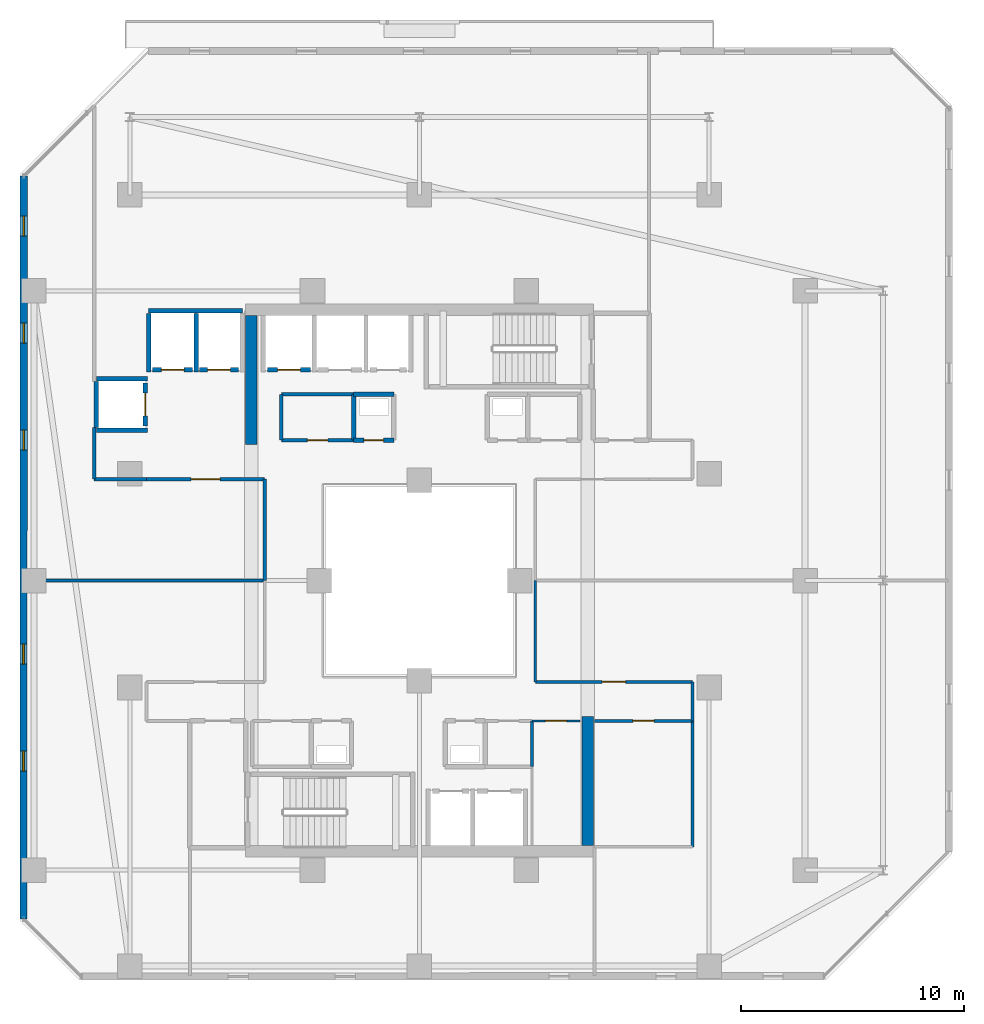
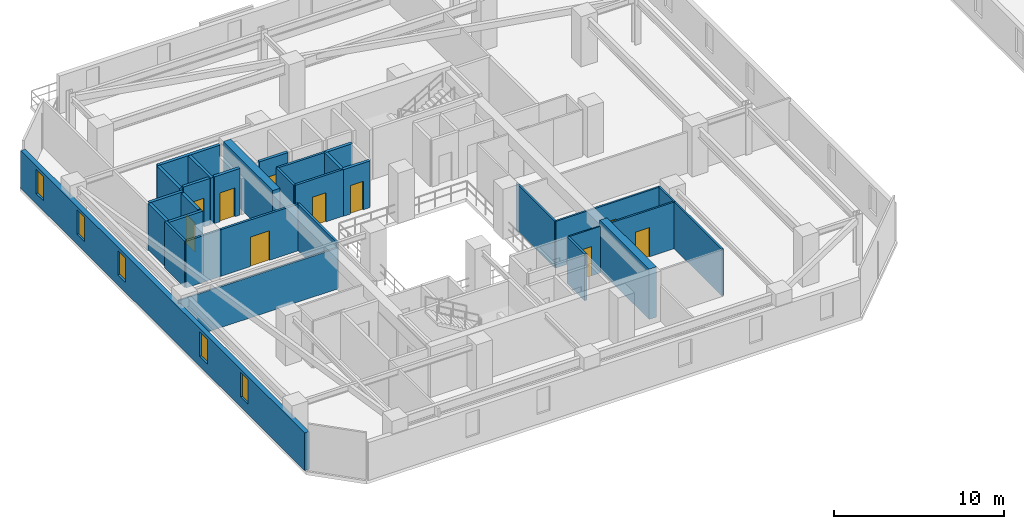
# One storey, part 20 of 32: 31 walls, 10 doors, 5 windows, 15 openings.
"""IFC4 building model written with IfcOpenShell, lengths in metres."""

from ifc_helpers import new_model, si_unit, direction, frame, frame_2d, origin, place, context, subcontext, project, spatial, rectangle, extrude, material, layer, layer_set, type_object, element, fill, save


model = new_model("IFC4")

# Units and contexts
model_context = context("Model", 3, precision=1e-05, world=origin(), true_north=direction((0.0, 1.0)))
body_context = subcontext(model_context, "Body", "Model", "MODEL_VIEW")
ifc_project = project(units=[si_unit("LENGTHUNIT", "METRE"), si_unit("AREAUNIT", "SQUARE_METRE"), si_unit("VOLUMEUNIT", "CUBIC_METRE"), si_unit("PLANEANGLEUNIT", "RADIAN"), si_unit("MASSUNIT", "GRAM", prefix="KILO")], contexts=[model_context])

# Site, building, storey
site_placement = place(None, origin())
site = spatial("IfcSite", under=ifc_project, at=site_placement, CompositionType="ELEMENT")
building_placement = place(site_placement, origin())
building = spatial("IfcBuilding", under=site, at=building_placement, Name="Thornwick Lancets Civic Towers", CompositionType="ELEMENT")
storey_placement = place(building_placement, frame((0.0, 0.0, 182.10009765625)))
storey = spatial("IfcBuildingStorey", under=building, at=storey_placement, Name="L48", CompositionType="ELEMENT", Elevation=182.10009765625)

# Wall, opening, door
ifc_material_1 = material(Name="Concrete blockwork C40/50", Category="masonry")
ifc_layer_1 = layer(ifc_material_1, 0.199951171875, Name="Concrete blockwork C40/50")
ifc_layer_set_1 = layer_set([ifc_layer_1], Name="Concrete blockwork C40/50")
wall_type_1 = type_object("IfcWallType", Name="WALL_COMP_200", PredefinedType="STANDARD", material=ifc_layer_set_1)
wall_1_placement = place(storey_placement, frame((20.6201171875, 36.449951171875, 0.0), z_axis=(0.0, 0.0, 1.0), x_axis=(-1.0, 0.0, 0.0)))
wall_1 = element("IfcWall", 1, at=wall_1_placement, inside=storey, type_object=wall_type_1, Name="L48 Hoistway Front Wall PL-AH3", PredefinedType="STANDARD", context=body_context, shape_type="SweptSolid", body=[
    extrude(rectangle(XDim=1.940185546875, YDim=0.199951171875, at=frame_2d((0.97021484375, 0.0))), origin(), (0.0, 0.0, 1.0), 3.33984375),
])
opening_1_placement = place(wall_1_placement, frame((0.4599609375, 0.0, 0.0)))
opening_1 = element("IfcOpeningElement", 2, at=opening_1_placement, cuts=wall_1, Name="Opening LD-PL-AH3", PredefinedType="OPENING", context=body_context, shape_type="SweptSolid", body=[
    extrude(rectangle(XDim=1.02001953125, YDim=2.06005859375, at=frame_2d((0.510009765625, 1.030029296875))), frame((0.0, 0.10986328125, 0.0), z_axis=(0.0, -1.0, 0.0), x_axis=(1.0, 0.0, 0.0)), (0.0, 0.0, 1.0), 0.219970703125),
])
ifc_material_2 = material(Name="Brushed bronze stainless steel", Category="steel")
door_type_1 = type_object("IfcDoorType", Name="DOOR_LIFT_SLIDE", OperationType="SLIDING_TO_LEFT", PredefinedType="DOOR", material=ifc_material_2)
door_1_placement = place(opening_1_placement, origin())
door_1 = element("IfcDoor", 3, at=door_1_placement, inside=storey, type_object=door_type_1, Name="L48 Sliding Lift Landing Door LD-PL-AH3", OperationType="SLIDING_TO_LEFT", OverallHeight=2.06005859375, OverallWidth=1.02001953125, PredefinedType="DOOR", context=body_context, shape_type="SweptSolid", body=[
    extrude(rectangle(XDim=1.02001953125, YDim=2.06005859375, at=frame_2d((0.510009765625, 1.030029296875))), frame((0.0, 0.02490234375, 0.0), z_axis=(0.0, -1.0, 0.0), x_axis=(1.0, 0.0, 0.0)), (0.0, 0.0, 1.0), 0.050048828125),
])
fill(opening_1, door_1)

wall_2_placement = place(storey_placement, frame((17.3701171875, 36.449951171875, 0.0), z_axis=(0.0, 0.0, 1.0), x_axis=(-1.0, 0.0, 0.0)))
wall_2 = element("IfcWall", 4, at=wall_2_placement, inside=storey, type_object=wall_type_1, Name="L48 Hoistway Front Wall PL-AM1", PredefinedType="STANDARD", context=body_context, shape_type="SweptSolid", body=[
    extrude(rectangle(XDim=1.740234375, YDim=0.199951171875, at=frame_2d((0.8701171875, 0.0))), origin(), (0.0, 0.0, 1.0), 3.33984375),
])
opening_2_placement = place(wall_2_placement, frame((0.360107421875, 0.0, 0.0)))
opening_2 = element("IfcOpeningElement", 5, at=opening_2_placement, cuts=wall_2, Name="Opening LD-PL-AM1", PredefinedType="OPENING", context=body_context, shape_type="SweptSolid", body=[
    extrude(rectangle(XDim=1.02001953125, YDim=2.06005859375, at=frame_2d((0.510009765625, 1.030029296875))), frame((0.0, 0.10986328125, 0.0), z_axis=(0.0, -1.0, 0.0), x_axis=(1.0, 0.0, 0.0)), (0.0, 0.0, 1.0), 0.219970703125),
])
door_2_placement = place(opening_2_placement, origin())
door_2 = element("IfcDoor", 6, at=door_2_placement, inside=storey, type_object=door_type_1, Name="L48 Sliding Lift Landing Door LD-PL-AM1", OperationType="SLIDING_TO_LEFT", OverallHeight=2.06005859375, OverallWidth=1.02001953125, PredefinedType="DOOR", context=body_context, shape_type="SweptSolid", body=[
    extrude(rectangle(XDim=1.02001953125, YDim=2.06005859375, at=frame_2d((0.510009765625, 1.030029296875))), frame((0.0, 0.02490234375, 0.0), z_axis=(0.0, -1.0, 0.0), x_axis=(1.0, 0.0, 0.0)), (0.0, 0.0, 1.0), 0.050048828125),
])
fill(opening_2, door_2)

wall_3_placement = place(storey_placement, frame((15.320068359375, 36.449951171875, 0.0), z_axis=(0.0, 0.0, 1.0), x_axis=(-1.0, 0.0, 0.0)))
wall_3 = element("IfcWall", 7, at=wall_3_placement, inside=storey, type_object=wall_type_1, Name="L48 Hoistway Front Wall PL-AM2", PredefinedType="STANDARD", context=body_context, shape_type="SweptSolid", body=[
    extrude(rectangle(XDim=1.7900390625, YDim=0.199951171875, at=frame_2d((0.89501953125, 0.0))), origin(), (0.0, 0.0, 1.0), 3.33984375),
])
opening_3_placement = place(wall_3_placement, frame((0.385009765625, 0.0, 0.0)))
opening_3 = element("IfcOpeningElement", 8, at=opening_3_placement, cuts=wall_3, Name="Opening LD-PL-AM2", PredefinedType="OPENING", context=body_context, shape_type="SweptSolid", body=[
    extrude(rectangle(XDim=1.02001953125, YDim=2.06005859375, at=frame_2d((0.510009765625, 1.030029296875))), frame((0.0, 0.10986328125, 0.0), z_axis=(0.0, -1.0, 0.0), x_axis=(1.0, 0.0, 0.0)), (0.0, 0.0, 1.0), 0.219970703125),
])
door_3_placement = place(opening_3_placement, origin())
door_3 = element("IfcDoor", 9, at=door_3_placement, inside=storey, type_object=door_type_1, Name="L48 Sliding Lift Landing Door LD-PL-AM2", OperationType="SLIDING_TO_LEFT", OverallHeight=2.06005859375, OverallWidth=1.02001953125, PredefinedType="DOOR", context=body_context, shape_type="SweptSolid", body=[
    extrude(rectangle(XDim=1.02001953125, YDim=2.06005859375, at=frame_2d((0.510009765625, 1.030029296875))), frame((0.0, 0.02490234375, 0.0), z_axis=(0.0, -1.0, 0.0), x_axis=(1.0, 0.0, 0.0)), (0.0, 0.0, 1.0), 0.050048828125),
])
fill(opening_3, door_3)

wall_4_placement = place(storey_placement, frame((13.199951171875, 33.929931640625, 0.0), z_axis=(0.0, 0.0, 1.0), x_axis=(0.0, 1.0, 0.0)))
wall_4 = element("IfcWall", 10, at=wall_4_placement, inside=storey, type_object=wall_type_1, Name="L48 Hoistway Front Wall PL-AM3", PredefinedType="STANDARD", context=body_context, shape_type="SweptSolid", body=[
    extrude(rectangle(XDim=1.940185546875, YDim=0.199951171875, at=frame_2d((0.97021484375, 0.0))), origin(), (0.0, 0.0, 1.0), 3.33984375),
])
opening_4_placement = place(wall_4_placement, frame((0.4599609375, 0.0, 0.0)))
opening_4 = element("IfcOpeningElement", 11, at=opening_4_placement, cuts=wall_4, Name="Opening LD-PL-AM3", PredefinedType="OPENING", context=body_context, shape_type="SweptSolid", body=[
    extrude(rectangle(XDim=1.02001953125, YDim=2.06005859375, at=frame_2d((0.510009765625, 1.030029296875))), frame((0.0, 0.10986328125, 0.0), z_axis=(0.0, -1.0, 0.0), x_axis=(1.0, 0.0, 0.0)), (0.0, 0.0, 1.0), 0.219970703125),
])
door_4_placement = place(opening_4_placement, origin())
door_4 = element("IfcDoor", 12, at=door_4_placement, inside=storey, type_object=door_type_1, Name="L48 Sliding Lift Landing Door LD-PL-AM3", OperationType="SLIDING_TO_LEFT", OverallHeight=2.06005859375, OverallWidth=1.02001953125, PredefinedType="DOOR", context=body_context, shape_type="SweptSolid", body=[
    extrude(rectangle(XDim=1.02001953125, YDim=2.06005859375, at=frame_2d((0.510009765625, 1.030029296875))), frame((0.0, 0.02490234375, 0.0), z_axis=(0.0, -1.0, 0.0), x_axis=(1.0, 0.0, 0.0)), (0.0, 0.0, 1.0), 0.050048828125),
])
fill(opening_4, door_4)

# Walls
wall_5_placement = place(storey_placement, frame((13.35205078125, 39.10009765625, 0.0), z_axis=(0.0, 0.0, 1.0), x_axis=(1.0, 0.0, 0.0)))
element("IfcWall", 13, at=wall_5_placement, inside=storey, type_object=wall_type_1, Name="L48 Hoistway Shaft Wall PL-AM1 N", PredefinedType="STANDARD", context=body_context, shape_type="SweptSolid", body=[
    extrude(rectangle(XDim=4.196044921875, YDim=0.199951171875, at=frame_2d((2.09814453125, 0.0))), origin(), (0.0, 0.0, 1.0), 3.33984375),
])
for number, where, z_axis, x_axis, name in (
    (14, (15.47509765625, 36.35205078125, 0.0), (0.0, 0.0, 1.0), (0.0, 1.0, 0.0), "L48 Hoistway Shaft Wall PL-AM1 W"),
    (15, (13.35009765625, 36.35205078125, 0.0), (0.0, 0.0, 1.0), (0.0, 1.0, 0.0), "L48 Hoistway Shaft Wall PL-AM2 W"),
):
    element("IfcWall", number, at=place(storey_placement, frame(where, z_axis=z_axis, x_axis=x_axis)), inside=storey, type_object=wall_type_1, Name=name, PredefinedType="STANDARD", context=body_context, shape_type="SweptSolid", body=[
        extrude(rectangle(XDim=2.635986328125, YDim=0.199951171875, at=frame_2d((1.31787109375, 0.0))), origin(), (0.0, 0.0, 1.0), 3.33984375),
    ])
for number, where, z_axis, x_axis, name in (
    (16, (11.001953125, 36.050048828125, 0.0), (0.0, 0.0, 1.0), (1.0, 0.0, 0.0), "L48 Hoistway Shaft Wall PL-AM3 N"),
    (17, (11.001953125, 33.75, 0.0), (0.0, 0.0, 1.0), (1.0, 0.0, 0.0), "L48 Hoistway Shaft Wall PL-AM3 S"),
):
    element("IfcWall", number, at=place(storey_placement, frame(where, z_axis=z_axis, x_axis=x_axis)), inside=storey, type_object=wall_type_1, Name=name, PredefinedType="STANDARD", context=body_context, shape_type="SweptSolid", body=[
        extrude(rectangle(XDim=2.296142578125, YDim=0.199951171875, at=frame_2d((1.14794921875, 0.0))), origin(), (0.0, 0.0, 1.0), 3.33984375),
    ])
wall_6_placement = place(storey_placement, frame((11.0, 33.862060546875, 0.0), z_axis=(0.0, 0.0, 1.0), x_axis=(0.0, 1.0, 0.0)))
element("IfcWall", 18, at=wall_6_placement, inside=storey, type_object=wall_type_1, Name="L48 Hoistway Shaft Wall PL-AM3 W", PredefinedType="STANDARD", context=body_context, shape_type="SweptSolid", body=[
    extrude(rectangle(XDim=2.075927734375, YDim=0.199951171875, at=frame_2d((1.0380859375, 0.0))), origin(), (0.0, 0.0, 1.0), 3.33984375),
])

# Wall, opening, door
wall_7_placement = place(storey_placement, frame((22.550048828125, 33.300048828125, 0.0), z_axis=(0.0, 0.0, 1.0), x_axis=(1.0, 0.0, 0.0)))
wall_7 = element("IfcWall", 19, at=wall_7_placement, inside=storey, type_object=wall_type_1, Name="L48 Partition L48-A-DUCT2 E1", PredefinedType="STANDARD", context=body_context, shape_type="SweptSolid", body=[
    extrude(rectangle(XDim=1.800048828125, YDim=0.199951171875, at=frame_2d((0.89990234375, 0.0))), origin(), (0.0, 0.0, 1.0), 3.33984375),
])
opening_5_placement = place(wall_7_placement, frame((0.4599609375, 0.0, 0.0)))
opening_5 = element("IfcOpeningElement", 20, at=opening_5_placement, cuts=wall_7, Name="Opening D-L48-2129", PredefinedType="OPENING", context=body_context, shape_type="SweptSolid", body=[
    extrude(rectangle(XDim=0.8798828125, YDim=2.0400390625, at=frame_2d((0.43994140625, 1.02001953125))), frame((0.0, 0.10986328125, 0.0), z_axis=(0.0, -1.0, 0.0), x_axis=(1.0, 0.0, 0.0)), (0.0, 0.0, 1.0), 0.219970703125),
])
ifc_material_3 = material(Name="Steel riser access doorset", Category="steel")
door_type_2 = type_object("IfcDoorType", Name="DOOR_RISER_850", OperationType="NOTDEFINED", PredefinedType="DOOR", material=ifc_material_3)
door_5_placement = place(opening_5_placement, origin())
door_5 = element("IfcDoor", 21, at=door_5_placement, inside=storey, type_object=door_type_2, Name="L48 North Service Duct 2 Door", OperationType="SINGLE_SWING_RIGHT", OverallHeight=2.0400390625, OverallWidth=0.8798828125, PredefinedType="DOOR", context=body_context, shape_type="SweptSolid", body=[
    extrude(rectangle(XDim=0.8798828125, YDim=2.0400390625, at=frame_2d((0.43994140625, 1.02001953125))), frame((0.0, 0.02490234375, 0.0), z_axis=(0.0, -1.0, 0.0), x_axis=(1.0, 0.0, 0.0)), (0.0, 0.0, 1.0), 0.050048828125),
])
fill(opening_5, door_5)

# Walls
wall_8_placement = place(storey_placement, frame((24.35009765625, 35.35009765625, 0.0), z_axis=(0.0, 0.0, 1.0), x_axis=(-1.0, 0.0, 0.0)))
element("IfcWall", 22, at=wall_8_placement, inside=storey, type_object=wall_type_1, Name="L48 Partition L48-A-DUCT2 E3", PredefinedType="STANDARD", context=body_context, shape_type="SweptSolid", body=[
    extrude(rectangle(XDim=1.800048828125, YDim=0.199951171875, at=frame_2d((0.89990234375, 0.0))), origin(), (0.0, 0.0, 1.0), 3.33984375),
])
wall_9_placement = place(storey_placement, frame((22.550048828125, 35.35009765625, 0.0), z_axis=(0.0, 0.0, 1.0), x_axis=(0.0, -1.0, 0.0)))
element("IfcWall", 23, at=wall_9_placement, inside=storey, type_object=wall_type_1, Name="L48 Partition L48-A-DUCT2 E4", PredefinedType="STANDARD", context=body_context, shape_type="SweptSolid", body=[
    extrude(rectangle(XDim=2.050048828125, YDim=0.199951171875, at=frame_2d((1.02490234375, 0.0))), origin(), (0.0, 0.0, 1.0), 3.33984375),
])
ifc_material_4 = material(Name="Concrete C50/60", Category="concrete")
ifc_layer_2 = layer(ifc_material_4, 0.5, Name="Concrete C50/60")
ifc_layer_set_2 = layer_set([ifc_layer_2], Name="Concrete C50/60")
wall_type_2 = type_object("IfcWallType", Name="WALL_CORE_500", PredefinedType="SHEAR", material=ifc_layer_set_2)
for number, where, z_axis, x_axis, name in (
    (24, (33.050048828125, 15.10009765625, 0.0), (0.0, 0.0, 1.0), (0.0, 1.0, 0.0), "L48 Split Core A1 Shear Wall E"),
    (25, (17.949951171875, 33.10009765625, 0.0), (0.0, 0.0, 1.0), (0.0, 1.0, 0.0), "L48 Split Core A2 Shear Wall W"),
):
    element("IfcWall", number, at=place(storey_placement, frame(where, z_axis=z_axis, x_axis=x_axis)), inside=storey, type_object=wall_type_2, Name=name, PredefinedType="SHEAR", context=body_context, shape_type="SweptSolid", body=[
        extrude(rectangle(XDim=5.7998046875, YDim=0.5, at=frame_2d((2.89990234375, 0.0))), origin(), (0.0, 0.0, 1.0), 3.599853515625),
    ])

# Wall, openings, windows
ifc_material_5 = material(Name="Insulated buff terracotta rainscreen on concrete C40/50", Category="masonry")
ifc_layer_3 = layer(ifc_material_5, 0.320068359375, Name="Insulated buff terracotta rainscreen on concrete C40/50")
ifc_layer_set_3 = layer_set([ifc_layer_3], Name="Insulated buff terracotta rainscreen on concrete C40/50")
wall_type_3 = type_object("IfcWallType", Name="WALL_EXT_TERRA_320", PredefinedType="STANDARD", material=ifc_layer_set_3)
wall_10_placement = place(storey_placement, frame((7.745361328125, 45.14794921875, 0.0), z_axis=(0.0, 0.0, 1.0), x_axis=(-0.000300328883, -0.999999954901, 0.0)))
wall_10 = element("IfcWall", 26, at=wall_10_placement, inside=storey, type_object=wall_type_3, Name="L48 Tower A Terracotta Facade Wall E6", PredefinedType="STANDARD", context=body_context, shape_type="SweptSolid", body=[
    extrude(rectangle(XDim=33.329345703125, YDim=0.320068359375, at=frame_2d((16.66455078125, 0.0))), origin(), (0.0, 0.0, 1.0), 2.699951171875),
])
opening_6_placement = place(wall_10_placement, frame((1.800048828125, 0.0, 0.719970703125)))
opening_6 = element("IfcOpeningElement", 27, at=opening_6_placement, cuts=wall_10, Name="Opening WL-01", PredefinedType="OPENING", context=body_context, shape_type="SweptSolid", body=[
    extrude(rectangle(XDim=0.89990234375, YDim=1.75, at=frame_2d((0.449951171875, 0.875))), frame((0.0, 0.169921875, 0.0), z_axis=(0.0, -1.0, 0.0), x_axis=(1.0, 0.0, 0.0)), (0.0, 0.0, 1.0), 0.340087890625),
])
opening_7_placement = place(wall_10_placement, frame((6.60009765625, 0.0, 0.719970703125)))
opening_7 = element("IfcOpeningElement", 28, at=opening_7_placement, cuts=wall_10, Name="Opening WL-01", PredefinedType="OPENING", context=body_context, shape_type="SweptSolid", body=[
    extrude(rectangle(XDim=0.89990234375, YDim=1.75, at=frame_2d((0.449951171875, 0.875))), frame((0.0, 0.169921875, 0.0), z_axis=(0.0, -1.0, 0.0), x_axis=(1.0, 0.0, 0.0)), (0.0, 0.0, 1.0), 0.340087890625),
])
opening_8_placement = place(wall_10_placement, frame((11.39990234375, 0.0, 0.719970703125)))
opening_8 = element("IfcOpeningElement", 29, at=opening_8_placement, cuts=wall_10, Name="Opening WL-01", PredefinedType="OPENING", context=body_context, shape_type="SweptSolid", body=[
    extrude(rectangle(XDim=0.89990234375, YDim=1.75, at=frame_2d((0.449951171875, 0.875))), frame((0.0, 0.169921875, 0.0), z_axis=(0.0, -1.0, 0.0), x_axis=(1.0, 0.0, 0.0)), (0.0, 0.0, 1.0), 0.340087890625),
])
opening_9_placement = place(wall_10_placement, frame((21.0, 0.0, 0.719970703125)))
opening_9 = element("IfcOpeningElement", 30, at=opening_9_placement, cuts=wall_10, Name="Opening WL-01", PredefinedType="OPENING", context=body_context, shape_type="SweptSolid", body=[
    extrude(rectangle(XDim=0.89990234375, YDim=1.75, at=frame_2d((0.449951171875, 0.875))), frame((0.0, 0.169921875, 0.0), z_axis=(0.0, -1.0, 0.0), x_axis=(1.0, 0.0, 0.0)), (0.0, 0.0, 1.0), 0.340087890625),
])
opening_10_placement = place(wall_10_placement, frame((25.800048828125, 0.0, 0.719970703125)))
opening_10 = element("IfcOpeningElement", 31, at=opening_10_placement, cuts=wall_10, Name="Opening WL-01", PredefinedType="OPENING", context=body_context, shape_type="SweptSolid", body=[
    extrude(rectangle(XDim=0.89990234375, YDim=1.75, at=frame_2d((0.449951171875, 0.875))), frame((0.0, 0.169921875, 0.0), z_axis=(0.0, -1.0, 0.0), x_axis=(1.0, 0.0, 0.0)), (0.0, 0.0, 1.0), 0.340087890625),
])
ifc_material_6 = material(Name="Clear low-e double glazing in bronze frame", Category="glass")
window_type = type_object("IfcWindowType", Name="WIN_LANCET_900", PartitioningType="SINGLE_PANEL", PredefinedType="WINDOW", material=ifc_material_6)
window_1_placement = place(opening_6_placement, origin())
window_1 = element("IfcWindow", 32, at=window_1_placement, inside=storey, type_object=window_type, Name="L48 Tower A Staggered Lancet Window E6-1", OverallHeight=1.75, OverallWidth=0.89990234375, PartitioningType="SINGLE_PANEL", PredefinedType="WINDOW", context=body_context, shape_type="SweptSolid", body=[
    extrude(rectangle(XDim=0.89990234375, YDim=1.75, at=frame_2d((0.449951171875, 0.875))), frame((0.0, 0.030029296875, 0.0), z_axis=(0.0, -1.0, 0.0), x_axis=(1.0, 0.0, 0.0)), (0.0, 0.0, 1.0), 0.06005859375),
])
fill(opening_6, window_1)
window_2_placement = place(opening_7_placement, origin())
window_2 = element("IfcWindow", 33, at=window_2_placement, inside=storey, type_object=window_type, Name="L48 Tower A Staggered Lancet Window E6-2", OverallHeight=1.75, OverallWidth=0.89990234375, PartitioningType="SINGLE_PANEL", PredefinedType="WINDOW", context=body_context, shape_type="SweptSolid", body=[
    extrude(rectangle(XDim=0.89990234375, YDim=1.75, at=frame_2d((0.449951171875, 0.875))), frame((0.0, 0.030029296875, 0.0), z_axis=(0.0, -1.0, 0.0), x_axis=(1.0, 0.0, 0.0)), (0.0, 0.0, 1.0), 0.06005859375),
])
fill(opening_7, window_2)
window_3_placement = place(opening_8_placement, origin())
window_3 = element("IfcWindow", 34, at=window_3_placement, inside=storey, type_object=window_type, Name="L48 Tower A Staggered Lancet Window E6-3", OverallHeight=1.75, OverallWidth=0.89990234375, PartitioningType="SINGLE_PANEL", PredefinedType="WINDOW", context=body_context, shape_type="SweptSolid", body=[
    extrude(rectangle(XDim=0.89990234375, YDim=1.75, at=frame_2d((0.449951171875, 0.875))), frame((0.0, 0.030029296875, 0.0), z_axis=(0.0, -1.0, 0.0), x_axis=(1.0, 0.0, 0.0)), (0.0, 0.0, 1.0), 0.06005859375),
])
fill(opening_8, window_3)
window_4_placement = place(opening_9_placement, origin())
window_4 = element("IfcWindow", 35, at=window_4_placement, inside=storey, type_object=window_type, Name="L48 Tower A Staggered Lancet Window E6-4", OverallHeight=1.75, OverallWidth=0.89990234375, PartitioningType="SINGLE_PANEL", PredefinedType="WINDOW", context=body_context, shape_type="SweptSolid", body=[
    extrude(rectangle(XDim=0.89990234375, YDim=1.75, at=frame_2d((0.449951171875, 0.875))), frame((0.0, 0.030029296875, 0.0), z_axis=(0.0, -1.0, 0.0), x_axis=(1.0, 0.0, 0.0)), (0.0, 0.0, 1.0), 0.06005859375),
])
fill(opening_9, window_4)
window_5_placement = place(opening_10_placement, origin())
window_5 = element("IfcWindow", 36, at=window_5_placement, inside=storey, type_object=window_type, Name="L48 Tower A Staggered Lancet Window E6-5", OverallHeight=1.75, OverallWidth=0.89990234375, PartitioningType="SINGLE_PANEL", PredefinedType="WINDOW", context=body_context, shape_type="SweptSolid", body=[
    extrude(rectangle(XDim=0.89990234375, YDim=1.75, at=frame_2d((0.449951171875, 0.875))), frame((0.0, 0.030029296875, 0.0), z_axis=(0.0, -1.0, 0.0), x_axis=(1.0, 0.0, 0.0)), (0.0, 0.0, 1.0), 0.06005859375),
])
fill(opening_10, window_5)

# Wall, opening, door
ifc_material_7 = material(Name="Lightweight cellular office partition")
ifc_layer_4 = layer(ifc_material_7, 0.10009765625, Name="Lightweight cellular office partition")
ifc_layer_set_4 = layer_set([ifc_layer_4], Name="Lightweight cellular office partition")
wall_type_4 = type_object("IfcWallType", Name="WALL_PART_100", PredefinedType="PARTITIONING", material=ifc_layer_set_4)
wall_11_placement = place(storey_placement, frame((30.550048828125, 20.699951171875, 0.0), z_axis=(0.0, 0.0, 1.0), x_axis=(1.0, 0.0, 0.0)))
wall_11 = element("IfcWall", 37, at=wall_11_placement, inside=storey, type_object=wall_type_4, Name="L48 Partition L48-A-CLN E5", PredefinedType="PARTITIONING", context=body_context, shape_type="SweptSolid", body=[
    extrude(rectangle(XDim=2.14990234375, YDim=0.10009765625, at=frame_2d((1.074951171875, 0.0))), origin(), (0.0, 0.0, 1.0), 3.33984375),
])
opening_11_placement = place(wall_11_placement, frame((0.60009765625, 0.0, 0.0)))
opening_11 = element("IfcOpeningElement", 38, at=opening_11_placement, cuts=wall_11, Name="Opening D-L48-2133", PredefinedType="OPENING", context=body_context, shape_type="SweptSolid", body=[
    extrude(rectangle(XDim=0.949951171875, YDim=2.10009765625, at=frame_2d((0.47509765625, 1.050048828125))), frame((0.0, 0.06005859375, 0.0), z_axis=(0.0, -1.0, 0.0), x_axis=(1.0, 0.0, 0.0)), (0.0, 0.0, 1.0), 0.1201171875),
])
ifc_material_8 = material(Name="European oak acoustic doorset")
door_type_3 = type_object("IfcDoorType", Name="DOOR_OFFICE_950", OperationType="NOTDEFINED", PredefinedType="DOOR", material=ifc_material_8)
door_6_placement = place(opening_11_placement, origin())
door_6 = element("IfcDoor", 39, at=door_6_placement, inside=storey, type_object=door_type_3, Name="L48 Tower A Cleaners Store Door", OperationType="SINGLE_SWING_RIGHT", OverallHeight=2.10009765625, OverallWidth=0.949951171875, PredefinedType="DOOR", context=body_context, shape_type="SweptSolid", body=[
    extrude(rectangle(XDim=0.949951171875, YDim=2.10009765625, at=frame_2d((0.47509765625, 1.050048828125))), frame((0.0, 0.02490234375, 0.0), z_axis=(0.0, -1.0, 0.0), x_axis=(1.0, 0.0, 0.0)), (0.0, 0.0, 1.0), 0.050048828125),
])
fill(opening_11, door_6)

ifc_material_9 = material(Name="Acoustic gypsum board partition")
ifc_layer_5 = layer(ifc_material_9, 0.1201171875, Name="Acoustic gypsum board partition")
ifc_layer_set_5 = layer_set([ifc_layer_5], Name="Acoustic gypsum board partition")
wall_type_5 = type_object("IfcWallType", Name="WALL_PART_120", PredefinedType="PARTITIONING", material=ifc_layer_set_5)
wall_12_placement = place(storey_placement, frame((33.35009765625, 20.699951171875, 0.0), z_axis=(0.0, 0.0, 1.0), x_axis=(1.0, 0.0, 0.0)))
wall_12 = element("IfcWall", 40, at=wall_12_placement, inside=storey, type_object=wall_type_5, Name="L48 Partition L48-A-RECLAIM-L1 E3", PredefinedType="PARTITIONING", context=body_context, shape_type="SweptSolid", body=[
    extrude(rectangle(XDim=4.39990234375, YDim=0.1201171875, at=frame_2d((2.199951171875, 0.0))), origin(), (0.0, 0.0, 1.0), 3.33984375),
])
opening_12_placement = place(wall_12_placement, frame((1.72509765625, 0.0, 0.0)))
opening_12 = element("IfcOpeningElement", 41, at=opening_12_placement, cuts=wall_12, Name="Opening D-L48-2147", PredefinedType="OPENING", context=body_context, shape_type="SweptSolid", body=[
    extrude(rectangle(XDim=0.949951171875, YDim=2.10009765625, at=frame_2d((0.47509765625, 1.050048828125))), frame((0.0, 0.070068359375, 0.0), z_axis=(0.0, -1.0, 0.0), x_axis=(1.0, 0.0, 0.0)), (0.0, 0.0, 1.0), 0.14013671875),
])
door_7_placement = place(opening_12_placement, origin())
door_7 = element("IfcDoor", 42, at=door_7_placement, inside=storey, type_object=door_type_3, Name="L48 Tower A Policy Archive and Library Door", OperationType="SINGLE_SWING_RIGHT", OverallHeight=2.10009765625, OverallWidth=0.949951171875, PredefinedType="DOOR", context=body_context, shape_type="SweptSolid", body=[
    extrude(rectangle(XDim=0.949951171875, YDim=2.10009765625, at=frame_2d((0.47509765625, 1.050048828125))), frame((0.0, 0.02490234375, 0.0), z_axis=(0.0, -1.0, 0.0), x_axis=(1.0, 0.0, 0.0)), (0.0, 0.0, 1.0), 0.050048828125),
])
fill(opening_12, door_7)

# Walls
wall_13_placement = place(storey_placement, frame((37.75, 20.699951171875, 0.0), z_axis=(0.0, 0.0, 1.0), x_axis=(0.0, -1.0, 0.0)))
element("IfcWall", 43, at=wall_13_placement, inside=storey, type_object=wall_type_5, Name="L48 Partition L48-A-RECLAIM-L1 E4", PredefinedType="PARTITIONING", context=body_context, shape_type="SweptSolid", body=[
    extrude(rectangle(XDim=5.64990234375, YDim=0.1201171875, at=frame_2d((2.824951171875, 0.0))), origin(), (0.0, 0.0, 1.0), 3.33984375),
])
wall_14_placement = place(storey_placement, frame((7.780029296875, 27.0, 0.0), z_axis=(0.0, 0.0, 1.0), x_axis=(1.0, 0.0, 0.0)))
element("IfcWall", 44, at=wall_14_placement, inside=storey, type_object=wall_type_5, Name="L48 Partition L48-A-W1 E2", PredefinedType="PARTITIONING", context=body_context, shape_type="SweptSolid", body=[
    extrude(rectangle(XDim=10.77001953125, YDim=0.1201171875, at=frame_2d((5.385009765625, 0.0))), origin(), (0.0, 0.0, 1.0), 2.93212890625),
])
wall_15_placement = place(storey_placement, frame((37.75, 20.699951171875, 0.0), z_axis=(0.0, 0.0, 1.0), x_axis=(0.0, 1.0, 0.0)))
element("IfcWall", 45, at=wall_15_placement, inside=storey, type_object=wall_type_5, Name="L48 Partition L48-A-E1 E3", PredefinedType="PARTITIONING", context=body_context, shape_type="SweptSolid", body=[
    extrude(rectangle(XDim=1.75, YDim=0.1201171875, at=frame_2d((0.875, 0.0))), origin(), (0.0, 0.0, 1.0), 3.33984375),
])

# Wall, opening, door
wall_16_placement = place(storey_placement, frame((37.75, 22.449951171875, 0.0), z_axis=(0.0, 0.0, 1.0), x_axis=(-1.0, 0.0, 0.0)))
wall_16 = element("IfcWall", 46, at=wall_16_placement, inside=storey, type_object=wall_type_5, Name="L48 Partition L48-A-E1 E4", PredefinedType="PARTITIONING", context=body_context, shape_type="SweptSolid", body=[
    extrude(rectangle(XDim=7.050048828125, YDim=0.1201171875, at=frame_2d((3.52490234375, 0.0))), origin(), (0.0, 0.0, 1.0), 3.33984375),
])
opening_13_placement = place(wall_16_placement, frame((3.0, 0.0, 0.0)))
opening_13 = element("IfcOpeningElement", 47, at=opening_13_placement, cuts=wall_16, Name="Opening D-L48-2150", PredefinedType="OPENING", context=body_context, shape_type="SweptSolid", body=[
    extrude(rectangle(XDim=1.050048828125, YDim=2.10009765625, at=frame_2d((0.52490234375, 1.050048828125))), frame((0.0, 0.070068359375, 0.0), z_axis=(0.0, -1.0, 0.0), x_axis=(1.0, 0.0, 0.0)), (0.0, 0.0, 1.0), 0.14013671875),
])
ifc_material_10 = material(Name="Glazed European oak executive doorset")
door_type_4 = type_object("IfcDoorType", Name="DOOR_OFFICE_1050", OperationType="NOTDEFINED", PredefinedType="DOOR", material=ifc_material_10)
door_8_placement = place(opening_13_placement, origin())
door_8 = element("IfcDoor", 48, at=door_8_placement, inside=storey, type_object=door_type_4, Name="L48 Tower A Secretariat Open Office E1 Door", OperationType="SINGLE_SWING_LEFT", OverallHeight=2.10009765625, OverallWidth=1.050048828125, PredefinedType="DOOR", context=body_context, shape_type="SweptSolid", body=[
    extrude(rectangle(XDim=1.050048828125, YDim=2.10009765625, at=frame_2d((0.52490234375, 1.050048828125))), frame((0.0, 0.02490234375, 0.0), z_axis=(0.0, -1.0, 0.0), x_axis=(1.0, 0.0, 0.0)), (0.0, 0.0, 1.0), 0.050048828125),
])
fill(opening_13, door_8)

# Walls
wall_17_placement = place(storey_placement, frame((30.699951171875, 22.449951171875, 0.0), z_axis=(0.0, 0.0, 1.0), x_axis=(0.0, 1.0, 0.0)))
element("IfcWall", 49, at=wall_17_placement, inside=storey, type_object=wall_type_5, Name="L48 Partition L48-A-E1 E5", PredefinedType="PARTITIONING", context=body_context, shape_type="SweptSolid", body=[
    extrude(rectangle(XDim=4.550048828125, YDim=0.1201171875, at=frame_2d((2.27490234375, 0.0))), origin(), (0.0, 0.0, 1.0), 3.33984375),
])
ifc_material_11 = material(Name="Twin-stud acoustic gypsum board")
ifc_layer_6 = layer(ifc_material_11, 0.14990234375, Name="Twin-stud acoustic gypsum board")
ifc_layer_set_6 = layer_set([ifc_layer_6], Name="Twin-stud acoustic gypsum board")
wall_type_6 = type_object("IfcWallType", Name="WALL_PART_150", PredefinedType="PARTITIONING", material=ifc_layer_set_6)
for number, where, z_axis, x_axis, name in (
    (50, (30.550048828125, 20.699951171875, 0.0), (0.0, 0.0, 1.0), (0.0, -1.0, 0.0), "L48 Partition L48-A-MWC E1"),
    (51, (19.300048828125, 33.300048828125, 0.0), (0.0, 0.0, 1.0), (0.0, 1.0, 0.0), "L48 Partition L48-A-FWC E1"),
):
    element("IfcWall", number, at=place(storey_placement, frame(where, z_axis=z_axis, x_axis=x_axis)), inside=storey, type_object=wall_type_6, Name=name, PredefinedType="PARTITIONING", context=body_context, shape_type="SweptSolid", body=[
        extrude(rectangle(XDim=2.050048828125, YDim=0.14990234375, at=frame_2d((1.02490234375, 0.0))), origin(), (0.0, 0.0, 1.0), 3.33984375),
    ])
wall_18_placement = place(storey_placement, frame((19.300048828125, 35.35009765625, 0.0), z_axis=(0.0, 0.0, 1.0), x_axis=(1.0, 0.0, 0.0)))
element("IfcWall", 52, at=wall_18_placement, inside=storey, type_object=wall_type_6, Name="L48 Partition L48-A-FWC E2", PredefinedType="PARTITIONING", context=body_context, shape_type="SweptSolid", body=[
    extrude(rectangle(XDim=3.25, YDim=0.14990234375, at=frame_2d((1.625, 0.0))), origin(), (0.0, 0.0, 1.0), 3.33984375),
])

# Wall, opening, door
wall_19_placement = place(storey_placement, frame((22.550048828125, 33.300048828125, 0.0), z_axis=(0.0, 0.0, 1.0), x_axis=(-1.0, 0.0, 0.0)))
wall_19 = element("IfcWall", 53, at=wall_19_placement, inside=storey, type_object=wall_type_6, Name="L48 Partition L48-A-FWC E4", PredefinedType="PARTITIONING", context=body_context, shape_type="SweptSolid", body=[
    extrude(rectangle(XDim=3.25, YDim=0.14990234375, at=frame_2d((1.625, 0.0))), origin(), (0.0, 0.0, 1.0), 3.33984375),
])
opening_14_placement = place(wall_19_placement, frame((1.1650390625, 0.0, 0.0)))
opening_14 = element("IfcOpeningElement", 54, at=opening_14_placement, cuts=wall_19, Name="Opening D-L48-2134", PredefinedType="OPENING", context=body_context, shape_type="SweptSolid", body=[
    extrude(rectangle(XDim=0.919921875, YDim=2.080078125, at=frame_2d((0.4599609375, 1.0400390625))), frame((0.0, 0.0849609375, 0.0), z_axis=(0.0, -1.0, 0.0), x_axis=(1.0, 0.0, 0.0)), (0.0, 0.0, 1.0), 0.169921875),
])
ifc_material_12 = material(Name="Moisture-resistant oak doorset")
door_type_5 = type_object("IfcDoorType", Name="DOOR_WC_900", OperationType="NOTDEFINED", PredefinedType="DOOR", material=ifc_material_12)
door_9_placement = place(opening_14_placement, origin())
door_9 = element("IfcDoor", 55, at=door_9_placement, inside=storey, type_object=door_type_5, Name="L48 Tower A Female WC Door", OperationType="SINGLE_SWING_LEFT", OverallHeight=2.080078125, OverallWidth=0.919921875, PredefinedType="DOOR", context=body_context, shape_type="SweptSolid", body=[
    extrude(rectangle(XDim=0.919921875, YDim=2.080078125, at=frame_2d((0.4599609375, 1.0400390625))), frame((0.0, 0.02490234375, 0.0), z_axis=(0.0, -1.0, 0.0), x_axis=(1.0, 0.0, 0.0)), (0.0, 0.0, 1.0), 0.050048828125),
])
fill(opening_14, door_9)

wall_20_placement = place(storey_placement, frame((13.25, 31.550048828125, 0.0), z_axis=(0.0, 0.0, 1.0), x_axis=(1.0, 0.0, 0.0)))
wall_20 = element("IfcWall", 56, at=wall_20_placement, inside=storey, type_object=wall_type_6, Name="L48 Partition L48-A-W2 E1", PredefinedType="PARTITIONING", context=body_context, shape_type="SweptSolid", body=[
    extrude(rectangle(XDim=5.300048828125, YDim=0.14990234375, at=frame_2d((2.64990234375, 0.0))), origin(), (0.0, 0.0, 1.0), 3.33984375),
])
opening_15_placement = place(wall_20_placement, frame((2.0, 0.0, 0.0)))
opening_15 = element("IfcOpeningElement", 57, at=opening_15_placement, cuts=wall_20, Name="Opening D-L48-2149", PredefinedType="OPENING", context=body_context, shape_type="SweptSolid", body=[
    extrude(rectangle(XDim=1.300048828125, YDim=2.1201171875, at=frame_2d((0.64990234375, 1.06005859375))), frame((0.0, 0.0849609375, 0.0), z_axis=(0.0, -1.0, 0.0), x_axis=(1.0, 0.0, 0.0)), (0.0, 0.0, 1.0), 0.169921875),
])
ifc_material_13 = material(Name="Acoustic oak leaf-and-a-half doorset")
door_type_6 = type_object("IfcDoorType", Name="DOOR_MEET_1300", OperationType="DOUBLE_DOOR_SINGLE_SWING", PredefinedType="DOOR", material=ifc_material_13)
door_10_placement = place(opening_15_placement, origin())
door_10 = element("IfcDoor", 58, at=door_10_placement, inside=storey, type_object=door_type_6, Name="L48 Tower A Policy Briefing Room W2 Door", OperationType="DOUBLE_DOOR_SINGLE_SWING", OverallHeight=2.1201171875, OverallWidth=1.300048828125, PredefinedType="DOOR", context=body_context, shape_type="SweptSolid", body=[
    extrude(rectangle(XDim=1.300048828125, YDim=2.1201171875, at=frame_2d((0.64990234375, 1.06005859375))), frame((0.0, 0.02490234375, 0.0), z_axis=(0.0, -1.0, 0.0), x_axis=(1.0, 0.0, 0.0)), (0.0, 0.0, 1.0), 0.050048828125),
])
fill(opening_15, door_10)

# Walls
wall_21_placement = place(storey_placement, frame((18.550048828125, 31.550048828125, 0.0), z_axis=(0.0, 0.0, 1.0), x_axis=(0.0, -1.0, 0.0)))
element("IfcWall", 59, at=wall_21_placement, inside=storey, type_object=wall_type_6, Name="L48 Partition L48-A-W2 E2", PredefinedType="PARTITIONING", context=body_context, shape_type="SweptSolid", body=[
    extrude(rectangle(XDim=4.550048828125, YDim=0.14990234375, at=frame_2d((2.27490234375, 0.0))), origin(), (0.0, 0.0, 1.0), 3.33984375),
])
wall_22_placement = place(storey_placement, frame((10.89990234375, 33.862060546875, 0.0), z_axis=(0.0, 0.0, 1.0), x_axis=(0.0, -1.0, 0.0)))
element("IfcWall", 60, at=wall_22_placement, inside=storey, type_object=wall_type_6, Name="L48 Partition L48-A-W2 E6", PredefinedType="PARTITIONING", context=body_context, shape_type="SweptSolid", body=[
    extrude(rectangle(XDim=2.31201171875, YDim=0.14990234375, at=frame_2d((1.156005859375, 0.0))), origin(), (0.0, 0.0, 1.0), 3.33984375),
])
wall_23_placement = place(storey_placement, frame((10.89990234375, 31.550048828125, 0.0), z_axis=(0.0, 0.0, 1.0), x_axis=(1.0, 0.0, 0.0)))
element("IfcWall", 61, at=wall_23_placement, inside=storey, type_object=wall_type_6, Name="L48 Partition L48-A-W2 E7", PredefinedType="PARTITIONING", context=body_context, shape_type="SweptSolid", body=[
    extrude(rectangle(XDim=2.35009765625, YDim=0.14990234375, at=frame_2d((1.175048828125, 0.0))), origin(), (0.0, 0.0, 1.0), 3.33984375),
])

save(model, "model.ifc")
